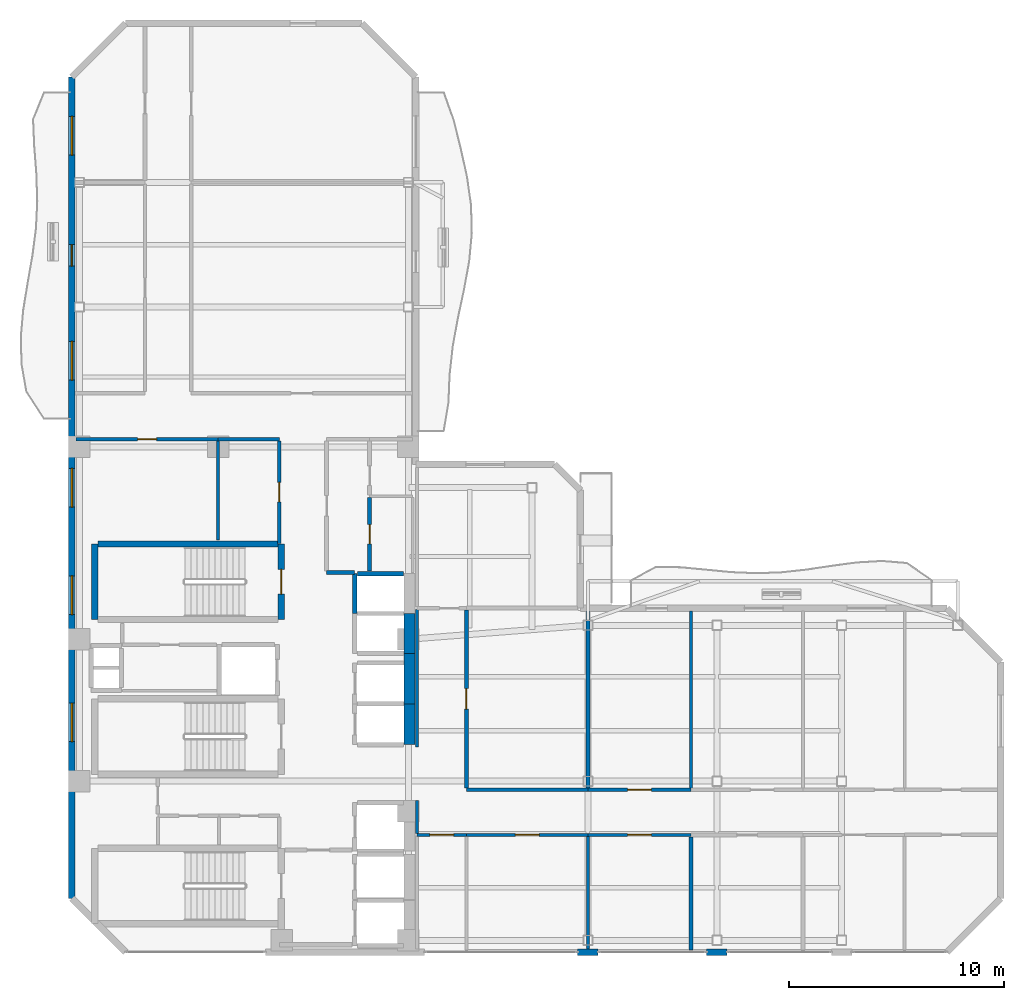
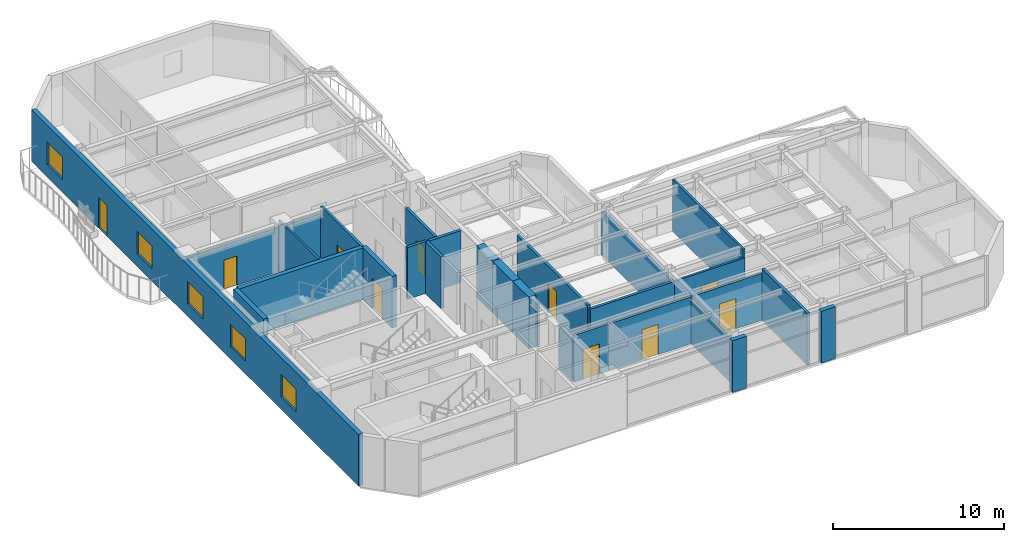
# One storey, part 10 of 15: 29 walls, 10 doors, 5 windows, 15 openings.
"""IFC4 building model written with IfcOpenShell, lengths in metres."""

import ifcopenshell
import ifcopenshell.guid

model = None  # the IFC model being written
_history = None  # IfcOwnerHistory: only IFC2X3 demands one
_inside = {}  # id of a spatial element -> (the spatial element, [elements in it])
_under = {}  # id of a project, library or spatial element -> (it, [spatial elements below it])
_declared = {}  # id of a project -> (the project, [libraries it declares])
_typed = {}  # id of a type object -> (the type object, [elements of that type])
_made_of = {}  # id of a material, layer set ... -> (it, [elements and type objects made of it])


def new_model(schema):
    """Start an empty IFC model of exactly this schema.

    Asked for "IFC4X3", IfcOpenShell would pick the latest addendum, in which some entities
    have other attributes; the version numbers below select the first issue.
    IFC2X3 requires an IfcOwnerHistory on every rooted entity: one is made here for all.
    """
    global model, _history
    if schema == "IFC4X3":
        model = ifcopenshell.file(schema_version=(4, 3, 0, 0))
    else:
        model = ifcopenshell.file(schema=schema)
    _inside.clear()
    _under.clear()
    _declared.clear()
    _typed.clear()
    _made_of.clear()
    _history = None
    if model.schema == "IFC2X3":
        org = make("IfcOrganization", Name="unknown")
        user = make(
            "IfcPersonAndOrganization",
            ThePerson=make("IfcPerson", FamilyName="unknown"),
            TheOrganization=org,
        )
        app = make(
            "IfcApplication",
            ApplicationDeveloper=org,
            Version="unknown",
            ApplicationFullName="unknown",
            ApplicationIdentifier="unknown",
        )
        _history = make(
            "IfcOwnerHistory",
            OwningUser=user,
            OwningApplication=app,
            ChangeAction="ADDED",
            CreationDate=0,
        )
    return model


def make(cls, **values):
    """One entity of the class cls with the attributes given. An attribute that is None is left unset."""
    return model.create_entity(
        cls, **{name: value for name, value in values.items() if value is not None}
    )


def rooted(cls, **values):
    """An entity with a GlobalId (a new one), such as an element, a storey or a relation."""
    return make(cls, GlobalId=ifcopenshell.guid.new(), OwnerHistory=_history, **values)


def si_unit(unit_type, name, prefix=None):
    """IfcSIUnit, for example si_unit("LENGTHUNIT", "METRE", prefix="MILLI")."""
    return make("IfcSIUnit", UnitType=unit_type, Prefix=prefix, Name=name)


def assignment(units):
    """IfcUnitAssignment: the units of a project."""
    return None if units is None else make("IfcUnitAssignment", Units=units)


def point(xyz):
    """IfcCartesianPoint."""
    return None if xyz is None else make("IfcCartesianPoint", Coordinates=xyz)


def direction(xyz):
    """IfcDirection."""
    return None if xyz is None else make("IfcDirection", DirectionRatios=xyz)


def frame(location, z_axis=None, x_axis=None):
    """IfcAxis2Placement3D, a coordinate frame: its origin and axes. An axis left out is left unset."""
    return make(
        "IfcAxis2Placement3D",
        Location=point(location),
        Axis=direction(z_axis),
        RefDirection=direction(x_axis),
    )


def frame_2d(location, x_axis=None):
    """IfcAxis2Placement2D, a coordinate frame in the plane: its origin and x axis."""
    return make(
        "IfcAxis2Placement2D", Location=point(location), RefDirection=direction(x_axis)
    )


def origin():
    """The frame at (0, 0, 0) with its axes left unset."""
    return frame((0.0, 0.0, 0.0))


def place(relative_to, where):
    """IfcLocalPlacement: puts the frame where relative to a parent placement (None: the world)."""
    return make(
        "IfcLocalPlacement", PlacementRelTo=relative_to, RelativePlacement=where
    )


def context(
    kind, dimensions, precision=None, world=None, true_north=None, identifier=None
):
    """IfcGeometricRepresentationContext, for example the 3D "Model" context."""
    return make(
        "IfcGeometricRepresentationContext",
        ContextIdentifier=identifier,
        ContextType=kind,
        CoordinateSpaceDimension=dimensions,
        Precision=precision,
        WorldCoordinateSystem=world,
        TrueNorth=true_north,
    )


def subcontext(parent, identifier, kind, view, scale=None):
    """IfcGeometricRepresentationSubContext, for example "Body" below "Model"."""
    return make(
        "IfcGeometricRepresentationSubContext",
        ContextIdentifier=identifier,
        ContextType=kind,
        ParentContext=parent,
        TargetScale=scale,
        TargetView=view,
    )


def project(units=None, contexts=None):
    """IfcProject with its units and contexts."""
    return rooted(
        "IfcProject",
        Name="project",
        RepresentationContexts=contexts,
        UnitsInContext=assignment(units),
    )


def spatial(cls, under=None, at=None, **own):
    """A site, building, storey or space (cls), placed at a placement, below another one or the project."""
    s = rooted(cls, ObjectPlacement=at, **own)
    if under is not None:
        _under.setdefault(under.id(), (under, []))[1].append(s)
    return s


def profile(cls, at=None, kind="AREA", **sizes):
    """A parametric profile (cls). Its sizes go by their IFC names, for example OverallWidth=200.0."""
    return make(cls, ProfileType=kind, Position=at, **sizes)


def rectangle(**sizes):
    """IfcRectangleProfileDef."""
    return profile("IfcRectangleProfileDef", **sizes)


def extrude(swept, where, along, depth):
    """IfcExtrudedAreaSolid: the profile swept, set in the frame where, extruded along a direction by depth."""
    return make(
        "IfcExtrudedAreaSolid",
        SweptArea=swept,
        Position=where,
        ExtrudedDirection=direction(along),
        Depth=depth,
    )


def shape(context_of_items, identifier, shape_type, items):
    """IfcShapeRepresentation: the items that make up one representation, for example the "Body"."""
    return make(
        "IfcShapeRepresentation",
        ContextOfItems=context_of_items,
        RepresentationIdentifier=identifier,
        RepresentationType=shape_type,
        Items=items,
    )


def material(Name=None, Category=None):
    """IfcMaterial."""
    return make("IfcMaterial", Name=Name, Category=Category)


def layer(
    of_material, thickness, ventilated=None, Name=None, Category=None, Priority=None
):
    """IfcMaterialLayer: one layer of a wall or slab, of a material (None: an air gap)."""
    return make(
        "IfcMaterialLayer",
        Material=of_material,
        LayerThickness=thickness,
        IsVentilated=ventilated,
        Name=Name,
        Category=Category,
        Priority=Priority,
    )


def layer_set(layers, Name=None):
    """IfcMaterialLayerSet."""
    return make("IfcMaterialLayerSet", MaterialLayers=layers, LayerSetName=Name)


def made_of(thing, what):
    """Note that an element or type object is made of a material, layer set ...; save() writes the relation."""
    if what is not None:
        _made_of.setdefault(what.id(), (what, []))[1].append(thing)
    return thing


def type_object(cls, material=None, **own):
    """A type object (cls), such as IfcWallType, which elements share."""
    return made_of(rooted(cls, **own), material)


def element(
    cls,
    number,
    at=None,
    inside=None,
    cuts=None,
    type_object=None,
    material=None,
    context=None,
    identifier="Body",
    shape_type=None,
    held_by="IfcProductDefinitionShape",
    body=None,
    shapes=None,
    **own,
):
    """One element of the class cls, such as IfcWall. Its Tag is "e" and its number.

    at: its placement. inside: the storey or other place that contains it. cuts: it is an
    opening in that element (IfcRelVoidsElement). A single representation is given by context,
    identifier, shape_type and body (its items); several are given by shapes. held_by: the class
    of the entity that holds the representations. save() writes the other relations.
    """
    e = rooted(cls, Tag="e%d" % number, ObjectPlacement=at, **own)
    if body is not None:
        shapes = [shape(context, identifier, shape_type, body)]
    if shapes is not None:
        e.Representation = make(held_by, Representations=shapes)
    if inside is not None:
        _inside.setdefault(inside.id(), (inside, []))[1].append(e)
    if cuts is not None:
        rooted(
            "IfcRelVoidsElement", RelatingBuildingElement=cuts, RelatedOpeningElement=e
        )
    if type_object is not None:
        _typed.setdefault(type_object.id(), (type_object, []))[1].append(e)
    return made_of(e, material)


def fill(opening, filler):
    """IfcRelFillsElement: the door or window that sits in an opening."""
    return rooted(
        "IfcRelFillsElement",
        RelatingOpeningElement=opening,
        RelatedBuildingElement=filler,
    )


def aggregate(whole, parts):
    """IfcRelAggregates: a whole, such as a stair, and the parts it consists of."""
    return rooted("IfcRelAggregates", RelatingObject=whole, RelatedObjects=parts)


def save(model, path):
    """Write the relations noted so far, then the file.

    IfcRelAggregates (storeys below a building ...), IfcRelContainedInSpatialStructure (elements
    in a storey), IfcRelDefinesByType, IfcRelAssociatesMaterial and IfcRelDeclares: one each for
    every whole, place, type object, material and project.
    """
    for whole, parts in _under.values():
        aggregate(whole, parts)
    for where, things in _inside.values():
        rooted(
            "IfcRelContainedInSpatialStructure",
            RelatedElements=things,
            RelatingStructure=where,
        )
    for kind, things in _typed.values():
        rooted("IfcRelDefinesByType", RelatedObjects=things, RelatingType=kind)
    for what, things in _made_of.values():
        rooted("IfcRelAssociatesMaterial", RelatedObjects=things, RelatingMaterial=what)
    for by, libraries in _declared.values():
        rooted("IfcRelDeclares", RelatingContext=by, RelatedDefinitions=libraries)
    model.write(path)


model = new_model("IFC4")

# Units and contexts
model_context = context("Model", 3, precision=1e-05, world=origin(), true_north=direction((0.0, 1.0)))
body_context = subcontext(model_context, "Body", "Model", "MODEL_VIEW")
ifc_project = project(units=[si_unit("LENGTHUNIT", "METRE"), si_unit("AREAUNIT", "SQUARE_METRE"), si_unit("VOLUMEUNIT", "CUBIC_METRE"), si_unit("PLANEANGLEUNIT", "RADIAN"), si_unit("MASSUNIT", "GRAM", prefix="KILO")], contexts=[model_context])

# Site, building, storey
site_placement = place(None, origin())
site = spatial("IfcSite", under=ifc_project, at=site_placement, CompositionType="ELEMENT")
building_placement = place(site_placement, origin())
building = spatial("IfcBuilding", under=site, at=building_placement, Name="Mawjaban Terraces University", CompositionType="ELEMENT")
storey_placement = place(building_placement, frame((0.0, 0.0, 207.0)))
storey = spatial("IfcBuildingStorey", under=building, at=storey_placement, Name="L50", CompositionType="ELEMENT", Elevation=207.0)

# Walls
ifc_material_1 = material(Name="Acoustic masonry blockwork", Category="masonry")
ifc_layer_1 = layer(ifc_material_1, 0.179931640625)
ifc_layer_set_1 = layer_set([ifc_layer_1], Name="Acoustic masonry blockwork")
wall_type_1 = type_object("IfcWallType", Name="AcousticStudioWall_180", PredefinedType="PARTITIONING", material=ifc_layer_set_1)
wall_1_placement = place(storey_placement, frame((33.85009765625, 17.64990234375, 0.0), z_axis=(0.0, 0.0, 1.0), x_axis=(1.0, 0.0, 0.0)))
element("IfcWall", 1, at=wall_1_placement, inside=storey, type_object=wall_type_1, Name="L50 Graduate Research Collaboration Studio Partition 10", PredefinedType="PARTITIONING", context=body_context, shape_type="SweptSolid", body=[
    extrude(rectangle(XDim=1.2998046875, YDim=0.179931640625, at=frame_2d((0.64990234375, 0.0))), origin(), (0.0, 0.0, 1.0), 3.68994140625),
])
wall_2_placement = place(storey_placement, frame((46.0, 7.550048828125, 0.0), z_axis=(0.0, 0.0, 1.0), x_axis=(-1.0, 0.0, 0.0)))
element("IfcWall", 2, at=wall_2_placement, inside=storey, type_object=wall_type_1, Name="L50 South Shifted Academic Corridor Partition 22", PredefinedType="PARTITIONING", context=body_context, shape_type="SweptSolid", body=[
    extrude(rectangle(XDim=5.64990234375, YDim=0.179931640625, at=frame_2d((2.824951171875, 0.0))), origin(), (0.0, 0.0, 1.0), 3.138916015625),
])

# Wall, opening, door
wall_3_placement = place(storey_placement, frame((35.85009765625, 17.72998046875, 0.0), z_axis=(0.0, 0.0, 1.0), x_axis=(0.0, 1.0, 0.0)))
wall_3 = element("IfcWall", 3, at=wall_3_placement, inside=storey, type_object=wall_type_1, Name="L50 Graduate Research Collaboration Studio Partition 42", PredefinedType="PARTITIONING", context=body_context, shape_type="SweptSolid", body=[
    extrude(rectangle(XDim=3.412109375, YDim=0.179931640625, at=frame_2d((1.7060546875, 0.0))), origin(), (0.0, 0.0, 1.0), 3.68994140625),
])
opening_1_placement = place(wall_3_placement, frame((1.256103515625, 0.0, 0.0)))
opening_1 = element("IfcOpeningElement", 4, at=opening_1_placement, cuts=wall_3, Name="Opening ID-090", PredefinedType="OPENING", context=body_context, shape_type="SweptSolid", body=[
    extrude(rectangle(XDim=0.89990234375, YDim=2.10009765625, at=frame_2d((0.449951171875, 1.050048828125))), frame((0.0, 0.099853515625, 0.0), z_axis=(0.0, -1.0, 0.0), x_axis=(1.0, 0.0, 0.0)), (0.0, 0.0, 1.0), 0.199951171875),
])
ifc_material_2 = material(Name="Powder-coated steel frame and solid acoustic timber leaf", Category="steel")
door_type_1 = type_object("IfcDoorType", Name="OfficeDoor_900x2100", OperationType="NOTDEFINED", PredefinedType="DOOR", material=ifc_material_2)
door_1_placement = place(opening_1_placement, origin())
door_1 = element("IfcDoor", 5, at=door_1_placement, inside=storey, type_object=door_type_1, Name="L50 Research Instrument Store Door", OperationType="SINGLE_SWING_LEFT", OverallHeight=2.10009765625, OverallWidth=0.89990234375, PredefinedType="DOOR", context=body_context, shape_type="SweptSolid", body=[
    extrude(rectangle(XDim=0.89990234375, YDim=2.10009765625, at=frame_2d((0.449951171875, 1.050048828125))), frame((0.0, 0.02490234375, 0.0), z_axis=(0.0, -1.0, 0.0), x_axis=(1.0, 0.0, 0.0)), (0.0, 0.0, 1.0), 0.050048828125),
])
fill(opening_1, door_1)

wall_4_placement = place(storey_placement, frame((40.35009765625, 7.635009765625, 0.0), z_axis=(0.0, 0.0, 1.0), x_axis=(0.0, 1.0, 0.0)))
wall_4 = element("IfcWall", 6, at=wall_4_placement, inside=storey, type_object=wall_type_1, Name="L50 South Spine Spur Link Partition 50", PredefinedType="PARTITIONING", context=body_context, shape_type="SweptSolid", body=[
    extrude(rectangle(XDim=8.280029296875, YDim=0.179931640625, at=frame_2d((4.14013671875, 0.0))), origin(), (0.0, 0.0, 1.0), 3.343017578125),
])
opening_2_placement = place(wall_4_placement, frame((3.6650390625, 0.0, 0.0)))
opening_2 = element("IfcOpeningElement", 7, at=opening_2_placement, cuts=wall_4, Name="Opening ID-095", PredefinedType="OPENING", context=body_context, shape_type="SweptSolid", body=[
    extrude(rectangle(XDim=0.949951171875, YDim=2.10009765625, at=frame_2d((0.47509765625, 1.050048828125))), frame((0.0, 0.099853515625, 0.0), z_axis=(0.0, -1.0, 0.0), x_axis=(1.0, 0.0, 0.0)), (0.0, 0.0, 1.0), 0.199951171875),
])
door_type_2 = type_object("IfcDoorType", Name="StudioDoor_950x2100", OperationType="NOTDEFINED", PredefinedType="DOOR", material=ifc_material_2)
door_2_placement = place(opening_2_placement, origin())
door_2 = element("IfcDoor", 8, at=door_2_placement, inside=storey, type_object=door_type_2, Name="L50 Design Studio 3 Door", OperationType="SINGLE_SWING_RIGHT", OverallHeight=2.10009765625, OverallWidth=0.949951171875, PredefinedType="DOOR", context=body_context, shape_type="SweptSolid", body=[
    extrude(rectangle(XDim=0.949951171875, YDim=2.10009765625, at=frame_2d((0.47509765625, 1.050048828125))), frame((0.0, 0.02490234375, 0.0), z_axis=(0.0, -1.0, 0.0), x_axis=(1.0, 0.0, 0.0)), (0.0, 0.0, 1.0), 0.050048828125),
])
fill(opening_2, door_2)

# Walls
wall_5_placement = place(storey_placement, frame((46.0, 7.635009765625, 0.0), z_axis=(0.0, 0.0, 1.0), x_axis=(0.0, 1.0, 0.0)))
element("IfcWall", 9, at=wall_5_placement, inside=storey, type_object=wall_type_1, Name="L50 Design Studio 3 Partition 52", PredefinedType="PARTITIONING", context=body_context, shape_type="SweptSolid", body=[
    extrude(rectangle(XDim=8.219970703125, YDim=0.179931640625, at=frame_2d((4.10986328125, 0.0))), origin(), (0.0, 0.0, 1.0), 3.138916015625),
])
wall_6_placement = place(storey_placement, frame((50.7900390625, 0.090087890625, 0.0), z_axis=(0.0, 0.0, 1.0), x_axis=(0.0, 1.0, 0.0)))
element("IfcWall", 10, at=wall_6_placement, inside=storey, type_object=wall_type_1, Name="L50 Computational Laboratory 4 Partition 53", PredefinedType="PARTITIONING", context=body_context, shape_type="SweptSolid", body=[
    extrude(rectangle(XDim=5.27490234375, YDim=0.179931640625, at=frame_2d((2.637451171875, 0.0))), origin(), (0.0, 0.0, 1.0), 3.68994140625),
])
ifc_material_3 = material(Name="Concrete C60/75", Category="concrete")
ifc_layer_2 = layer(ifc_material_3, 0.5)
ifc_layer_set_2 = layer_set([ifc_layer_2], Name="Concrete C60/75")
wall_type_2 = type_object("IfcWallType", Name="CoreShearWall_500", PredefinedType="SHEAR", material=ifc_layer_set_2)
wall_7_placement = place(storey_placement, frame((37.699951171875, 9.64990234375, 0.0), z_axis=(0.0, 0.0, 1.0), x_axis=(0.0, 1.0, 0.0)))
element("IfcWall", 11, at=wall_7_placement, inside=storey, type_object=wall_type_2, Name="L50 Lift PL-H1 Hoistway Wall East", PredefinedType="SHEAR", context=body_context, shape_type="SweptSolid", body=[
    extrude(rectangle(XDim=1.900146484375, YDim=0.5, at=frame_2d((0.9501953125, 0.0))), origin(), (0.0, 0.0, 1.0), 3.68994140625),
])
wall_8_placement = place(storey_placement, frame((37.699951171875, 11.550048828125, 0.0), z_axis=(0.0, 0.0, 1.0), x_axis=(0.0, 1.0, 0.0)))
element("IfcWall", 12, at=wall_8_placement, inside=storey, type_object=wall_type_2, Name="L50 Lift PL-H2 Hoistway Wall East", PredefinedType="SHEAR", context=body_context, shape_type="SweptSolid", body=[
    extrude(rectangle(XDim=2.349853515625, YDim=0.5, at=frame_2d((1.1748046875, 0.0))), origin(), (0.0, 0.0, 1.0), 3.68994140625),
])
wall_9_placement = place(storey_placement, frame((37.699951171875, 13.89990234375, 0.0), z_axis=(0.0, 0.0, 1.0), x_axis=(0.0, 1.0, 0.0)))
element("IfcWall", 13, at=wall_9_placement, inside=storey, type_object=wall_type_2, Name="L50 Lift OL-1 Hoistway Wall East", PredefinedType="SHEAR", context=body_context, shape_type="SweptSolid", body=[
    extrude(rectangle(XDim=1.85009765625, YDim=0.5, at=frame_2d((0.925048828125, 0.0))), origin(), (0.0, 0.0, 1.0), 3.68994140625),
])

# Wall, opening, door
ifc_material_4 = material(Name="Fire-rated gypsum board on steel stud", Category="steel")
ifc_layer_3 = layer(ifc_material_4, 0.159912109375)
ifc_layer_set_3 = layer_set([ifc_layer_3], Name="Fire-rated gypsum board on steel stud")
wall_type_3 = type_object("IfcWallType", Name="CorridorPartition_160", PredefinedType="PARTITIONING", material=ifc_layer_set_3)
wall_10_placement = place(storey_placement, frame((28.800048828125, 23.85009765625, 0.0), z_axis=(0.0, 0.0, 1.0), x_axis=(-1.0, 0.0, 0.0)))
wall_10 = element("IfcWall", 14, at=wall_10_placement, inside=storey, type_object=wall_type_3, Name="L50 Female Toilet Partition 6", PredefinedType="PARTITIONING", context=body_context, shape_type="SweptSolid", body=[
    extrude(rectangle(XDim=6.60009765625, YDim=0.159912109375, at=frame_2d((3.300048828125, 0.0))), origin(), (0.0, 0.0, 1.0), 3.138916015625),
])
opening_3_placement = place(wall_10_placement, frame((2.860107421875, 0.0, 0.0)))
opening_3 = element("IfcOpeningElement", 15, at=opening_3_placement, cuts=wall_10, Name="Opening ID-088", PredefinedType="OPENING", context=body_context, shape_type="SweptSolid", body=[
    extrude(rectangle(XDim=0.8798828125, YDim=2.10009765625, at=frame_2d((0.43994140625, 1.050048828125))), frame((0.0, 0.08984375, 0.0), z_axis=(0.0, -1.0, 0.0), x_axis=(1.0, 0.0, 0.0)), (0.0, 0.0, 1.0), 0.179931640625),
])
door_type_3 = type_object("IfcDoorType", Name="ToiletDoor_880x2100", OperationType="NOTDEFINED", PredefinedType="DOOR", material=ifc_material_2)
door_3_placement = place(opening_3_placement, origin())
door_3 = element("IfcDoor", 16, at=door_3_placement, inside=storey, type_object=door_type_3, Name="L50 Female Toilet Door", OperationType="SINGLE_SWING_LEFT", OverallHeight=2.10009765625, OverallWidth=0.8798828125, PredefinedType="DOOR", context=body_context, shape_type="SweptSolid", body=[
    extrude(rectangle(XDim=0.8798828125, YDim=2.10009765625, at=frame_2d((0.43994140625, 1.050048828125))), frame((0.0, 0.02490234375, 0.0), z_axis=(0.0, -1.0, 0.0), x_axis=(1.0, 0.0, 0.0)), (0.0, 0.0, 1.0), 0.050048828125),
])
fill(opening_3, door_3)

# Wall
wall_11_placement = place(storey_placement, frame((31.64990234375, 23.85009765625, 0.0), z_axis=(0.0, 0.0, 1.0), x_axis=(-1.0, 0.0, 0.0)))
element("IfcWall", 17, at=wall_11_placement, inside=storey, type_object=wall_type_3, Name="L50 Faculty Academic Resource Office Partition 9", PredefinedType="PARTITIONING", context=body_context, shape_type="SweptSolid", body=[
    extrude(rectangle(XDim=2.849853515625, YDim=0.159912109375, at=frame_2d((1.4248046875, 0.0))), origin(), (0.0, 0.0, 1.0), 3.138916015625),
])

# Wall, opening, door
wall_12_placement = place(storey_placement, frame((31.64990234375, 19.010009765625, 0.0), z_axis=(0.0, 0.0, 1.0), x_axis=(0.0, 1.0, 0.0)))
wall_12 = element("IfcWall", 18, at=wall_12_placement, inside=storey, type_object=wall_type_3, Name="L50 Faculty Academic Resource Office Partition 40", PredefinedType="PARTITIONING", context=body_context, shape_type="SweptSolid", body=[
    extrude(rectangle(XDim=4.764892578125, YDim=0.159912109375, at=frame_2d((2.38232421875, 0.0))), origin(), (0.0, 0.0, 1.0), 3.68994140625),
])
opening_4_placement = place(wall_12_placement, frame((1.931884765625, 0.0, 0.0)))
opening_4 = element("IfcOpeningElement", 19, at=opening_4_placement, cuts=wall_12, Name="Opening ID-090", PredefinedType="OPENING", context=body_context, shape_type="SweptSolid", body=[
    extrude(rectangle(XDim=0.89990234375, YDim=2.10009765625, at=frame_2d((0.449951171875, 1.050048828125))), frame((0.0, 0.08984375, 0.0), z_axis=(0.0, -1.0, 0.0), x_axis=(1.0, 0.0, 0.0)), (0.0, 0.0, 1.0), 0.179931640625),
])
door_4_placement = place(opening_4_placement, origin())
door_4 = element("IfcDoor", 20, at=door_4_placement, inside=storey, type_object=door_type_1, Name="L50 Faculty Academic Resource Office Door", OperationType="SINGLE_SWING_RIGHT", OverallHeight=2.10009765625, OverallWidth=0.89990234375, PredefinedType="DOOR", context=body_context, shape_type="SweptSolid", body=[
    extrude(rectangle(XDim=0.89990234375, YDim=2.10009765625, at=frame_2d((0.449951171875, 1.050048828125))), frame((0.0, 0.02490234375, 0.0), z_axis=(0.0, -1.0, 0.0), x_axis=(1.0, 0.0, 0.0)), (0.0, 0.0, 1.0), 0.050048828125),
])
fill(opening_4, door_4)

# Walls
wall_13_placement = place(storey_placement, frame((38.050048828125, 7.050048828125, 0.0), z_axis=(0.0, 0.0, 1.0), x_axis=(0.0, -1.0, 0.0)))
element("IfcWall", 21, at=wall_13_placement, inside=storey, type_object=wall_type_3, Name="L50 South Spine Spur Link Partition 46", PredefinedType="PARTITIONING", context=body_context, shape_type="SweptSolid", body=[
    extrude(rectangle(XDim=1.531982421875, YDim=0.159912109375, at=frame_2d((0.76611328125, 0.0))), origin(), (0.0, 0.0, 1.0), 3.138916015625),
])
wall_14_placement = place(storey_placement, frame((38.050048828125, 15.925048828125, 0.0), z_axis=(0.0, 0.0, 1.0), x_axis=(0.0, -1.0, 0.0)))
element("IfcWall", 22, at=wall_14_placement, inside=storey, type_object=wall_type_3, Name="L50 South Spine Spur Link Partition 47", PredefinedType="PARTITIONING", context=body_context, shape_type="SweptSolid", body=[
    extrude(rectangle(XDim=6.375, YDim=0.159912109375, at=frame_2d((3.1875, 0.0))), origin(), (0.0, 0.0, 1.0), 3.138916015625),
])
ifc_material_5 = material(Name="Insulated terracotta rainscreen on concrete backup C40/50", Category="masonry")
ifc_layer_4 = layer(ifc_material_5, 0.300048828125)
ifc_layer_set_4 = layer_set([ifc_layer_4], Name="Insulated terracotta rainscreen on concrete backup C40/50")
wall_type_4 = type_object("IfcWallType", Name="ExtTerracottaWall_300", PredefinedType="SOLIDWALL", material=ifc_layer_set_4)
for number, where, z_axis, x_axis, name in (
    (23, (45.52490234375, 0.0, 0.0), (0.0, 0.0, 1.0), (1.0, 0.0, 0.0), "L50 Exterior Terracotta Pier Wall 1.2"),
    (24, (51.52490234375, 0.0, 0.0), (0.0, 0.0, 1.0), (1.0, 0.0, 0.0), "L50 Exterior Terracotta Pier Wall 1.3"),
):
    element("IfcWall", number, at=place(storey_placement, frame(where, z_axis=z_axis, x_axis=x_axis)), inside=storey, type_object=wall_type_4, Name=name, PredefinedType="SOLIDWALL", context=body_context, shape_type="SweptSolid", body=[
        extrude(rectangle(XDim=0.9501953125, YDim=0.300048828125, at=frame_2d((0.47509765625, 0.0))), origin(), (0.0, 0.0, 1.0), 3.68994140625),
    ])

# Wall, openings, door, windows
wall_15_placement = place(storey_placement, frame((22.0, 40.699951171875, 0.0), z_axis=(0.0, 0.0, 1.0), x_axis=(0.0, -1.0, 0.0)))
wall_15 = element("IfcWall", 25, at=wall_15_placement, inside=storey, type_object=wall_type_4, Name="L50 Exterior Terracotta Wall 13", PredefinedType="SOLIDWALL", context=body_context, shape_type="SweptSolid", body=[
    extrude(rectangle(XDim=38.199951171875, YDim=0.300048828125, at=frame_2d((19.10009765625, 0.0))), origin(), (0.0, 0.0, 1.0), 3.68994140625),
])
opening_5_placement = place(wall_15_placement, frame((7.800048828125, 0.0, 0.0)))
opening_5 = element("IfcOpeningElement", 26, at=opening_5_placement, cuts=wall_15, Name="Opening BD-100", PredefinedType="OPENING", context=body_context, shape_type="SweptSolid", body=[
    extrude(rectangle(XDim=1.0, YDim=2.199951171875, at=frame_2d((0.5, 1.10009765625))), frame((0.0, 0.159912109375, 0.0), z_axis=(0.0, -1.0, 0.0), x_axis=(1.0, 0.0, 0.0)), (0.0, 0.0, 1.0), 0.320068359375),
])
opening_6_placement = place(wall_15_placement, frame((1.8291015625, 0.0, 0.89990234375)))
opening_6 = element("IfcOpeningElement", 27, at=opening_6_placement, cuts=wall_15, Name="Opening W-03", PredefinedType="OPENING", context=body_context, shape_type="SweptSolid", body=[
    extrude(rectangle(XDim=1.800048828125, YDim=1.60009765625, at=frame_2d((0.89990234375, 0.800048828125))), frame((0.0, 0.159912109375, 0.0), z_axis=(0.0, -1.0, 0.0), x_axis=(1.0, 0.0, 0.0)), (0.0, 0.0, 1.0), 0.320068359375),
])
opening_7_placement = place(wall_15_placement, frame((12.29296875, 0.0, 0.89990234375)))
opening_7 = element("IfcOpeningElement", 28, at=opening_7_placement, cuts=wall_15, Name="Opening W-03", PredefinedType="OPENING", context=body_context, shape_type="SweptSolid", body=[
    extrude(rectangle(XDim=1.800048828125, YDim=1.60009765625, at=frame_2d((0.89990234375, 0.800048828125))), frame((0.0, 0.159912109375, 0.0), z_axis=(0.0, -1.0, 0.0), x_axis=(1.0, 0.0, 0.0)), (0.0, 0.0, 1.0), 0.320068359375),
])
opening_8_placement = place(wall_15_placement, frame((18.199951171875, 0.0, 0.89990234375)))
opening_8 = element("IfcOpeningElement", 29, at=opening_8_placement, cuts=wall_15, Name="Opening W-03", PredefinedType="OPENING", context=body_context, shape_type="SweptSolid", body=[
    extrude(rectangle(XDim=1.800048828125, YDim=1.60009765625, at=frame_2d((0.89990234375, 0.800048828125))), frame((0.0, 0.159912109375, 0.0), z_axis=(0.0, -1.0, 0.0), x_axis=(1.0, 0.0, 0.0)), (0.0, 0.0, 1.0), 0.320068359375),
])
opening_9_placement = place(wall_15_placement, frame((23.20703125, 0.0, 0.89990234375)))
opening_9 = element("IfcOpeningElement", 30, at=opening_9_placement, cuts=wall_15, Name="Opening W-03", PredefinedType="OPENING", context=body_context, shape_type="SweptSolid", body=[
    extrude(rectangle(XDim=1.800048828125, YDim=1.60009765625, at=frame_2d((0.89990234375, 0.800048828125))), frame((0.0, 0.159912109375, 0.0), z_axis=(0.0, -1.0, 0.0), x_axis=(1.0, 0.0, 0.0)), (0.0, 0.0, 1.0), 0.320068359375),
])
opening_10_placement = place(wall_15_placement, frame((29.114013671875, 0.0, 0.89990234375)))
opening_10 = element("IfcOpeningElement", 31, at=opening_10_placement, cuts=wall_15, Name="Opening W-03", PredefinedType="OPENING", context=body_context, shape_type="SweptSolid", body=[
    extrude(rectangle(XDim=1.800048828125, YDim=1.60009765625, at=frame_2d((0.89990234375, 0.800048828125))), frame((0.0, 0.159912109375, 0.0), z_axis=(0.0, -1.0, 0.0), x_axis=(1.0, 0.0, 0.0)), (0.0, 0.0, 1.0), 0.320068359375),
])
ifc_material_6 = material(Name="Thermally broken anodised aluminium and laminated safety glass", Category="aluminium")
door_type_4 = type_object("IfcDoorType", Name="BalconyGlazedDoor_1000x2200", OperationType="NOTDEFINED", PredefinedType="DOOR", material=ifc_material_6)
door_5_placement = place(opening_5_placement, origin())
door_5 = element("IfcDoor", 32, at=door_5_placement, inside=storey, type_object=door_type_4, Name="L50 Balcony Access Door west", OperationType="SINGLE_SWING_LEFT", OverallHeight=2.199951171875, OverallWidth=1.0, PredefinedType="DOOR", context=body_context, shape_type="SweptSolid", body=[
    extrude(rectangle(XDim=1.0, YDim=2.199951171875, at=frame_2d((0.5, 1.10009765625))), frame((0.0, 0.02490234375, 0.0), z_axis=(0.0, -1.0, 0.0), x_axis=(1.0, 0.0, 0.0)), (0.0, 0.0, 1.0), 0.050048828125),
])
fill(opening_5, door_5)
ifc_material_7 = material(Name="Low-E solar-control double glazing in thermally broken aluminium frame", Category="aluminium")
window_type = type_object("IfcWindowType", Name="Win_1800x1600", PartitioningType="SINGLE_PANEL", PredefinedType="WINDOW", material=ifc_material_7)
window_1_placement = place(opening_6_placement, origin())
window_1 = element("IfcWindow", 33, at=window_1_placement, inside=storey, type_object=window_type, Name="L50 Facade Window 13.1", OverallHeight=1.60009765625, OverallWidth=1.800048828125, PartitioningType="SINGLE_PANEL", PredefinedType="WINDOW", context=body_context, shape_type="SweptSolid", body=[
    extrude(rectangle(XDim=1.800048828125, YDim=1.60009765625, at=frame_2d((0.89990234375, 0.800048828125))), frame((0.0, 0.030029296875, 0.0), z_axis=(0.0, -1.0, 0.0), x_axis=(1.0, 0.0, 0.0)), (0.0, 0.0, 1.0), 0.06005859375),
])
fill(opening_6, window_1)
window_2_placement = place(opening_7_placement, origin())
window_2 = element("IfcWindow", 34, at=window_2_placement, inside=storey, type_object=window_type, Name="L50 Facade Window 13.3", OverallHeight=1.60009765625, OverallWidth=1.800048828125, PartitioningType="SINGLE_PANEL", PredefinedType="WINDOW", context=body_context, shape_type="SweptSolid", body=[
    extrude(rectangle(XDim=1.800048828125, YDim=1.60009765625, at=frame_2d((0.89990234375, 0.800048828125))), frame((0.0, 0.030029296875, 0.0), z_axis=(0.0, -1.0, 0.0), x_axis=(1.0, 0.0, 0.0)), (0.0, 0.0, 1.0), 0.06005859375),
])
fill(opening_7, window_2)
window_3_placement = place(opening_8_placement, origin())
window_3 = element("IfcWindow", 35, at=window_3_placement, inside=storey, type_object=window_type, Name="L50 Facade Window 13.4", OverallHeight=1.60009765625, OverallWidth=1.800048828125, PartitioningType="SINGLE_PANEL", PredefinedType="WINDOW", context=body_context, shape_type="SweptSolid", body=[
    extrude(rectangle(XDim=1.800048828125, YDim=1.60009765625, at=frame_2d((0.89990234375, 0.800048828125))), frame((0.0, 0.030029296875, 0.0), z_axis=(0.0, -1.0, 0.0), x_axis=(1.0, 0.0, 0.0)), (0.0, 0.0, 1.0), 0.06005859375),
])
fill(opening_8, window_3)
window_4_placement = place(opening_9_placement, origin())
window_4 = element("IfcWindow", 36, at=window_4_placement, inside=storey, type_object=window_type, Name="L50 Facade Window 13.5", OverallHeight=1.60009765625, OverallWidth=1.800048828125, PartitioningType="SINGLE_PANEL", PredefinedType="WINDOW", context=body_context, shape_type="SweptSolid", body=[
    extrude(rectangle(XDim=1.800048828125, YDim=1.60009765625, at=frame_2d((0.89990234375, 0.800048828125))), frame((0.0, 0.030029296875, 0.0), z_axis=(0.0, -1.0, 0.0), x_axis=(1.0, 0.0, 0.0)), (0.0, 0.0, 1.0), 0.06005859375),
])
fill(opening_9, window_4)
window_5_placement = place(opening_10_placement, origin())
window_5 = element("IfcWindow", 37, at=window_5_placement, inside=storey, type_object=window_type, Name="L50 Facade Window 13.6", OverallHeight=1.60009765625, OverallWidth=1.800048828125, PartitioningType="SINGLE_PANEL", PredefinedType="WINDOW", context=body_context, shape_type="SweptSolid", body=[
    extrude(rectangle(XDim=1.800048828125, YDim=1.60009765625, at=frame_2d((0.89990234375, 0.800048828125))), frame((0.0, 0.030029296875, 0.0), z_axis=(0.0, -1.0, 0.0), x_axis=(1.0, 0.0, 0.0)), (0.0, 0.0, 1.0), 0.06005859375),
])
fill(opening_10, window_5)

# Walls
ifc_material_8 = material(Name="Concrete C40/50", Category="concrete")
ifc_layer_5 = layer(ifc_material_8, 0.199951171875)
ifc_layer_set_5 = layer_set([ifc_layer_5], Name="Concrete C40/50")
wall_type_5 = type_object("IfcWallType", Name="FireLobbyWall_200", PredefinedType="SOLIDWALL", material=ifc_layer_set_5)
wall_16_placement = place(storey_placement, frame((35.14990234375, 17.60009765625, 0.0), z_axis=(0.0, 0.0, 1.0), x_axis=(0.0, -1.0, 0.0)))
element("IfcWall", 38, at=wall_16_placement, inside=storey, type_object=wall_type_5, Name="L50 Lift OL-2 Hoistway Wall West", PredefinedType="SOLIDWALL", context=body_context, shape_type="SweptSolid", body=[
    extrude(rectangle(XDim=1.85009765625, YDim=0.199951171875, at=frame_2d((0.925048828125, 0.0))), origin(), (0.0, 0.0, 1.0), 3.68994140625),
])
wall_17_placement = place(storey_placement, frame((37.419921875, 17.60009765625, 0.0), z_axis=(0.0, 0.0, 1.0), x_axis=(-1.0, 0.0, 0.0)))
element("IfcWall", 39, at=wall_17_placement, inside=storey, type_object=wall_type_5, Name="L50 Lift OL-2 Hoistway Wall North", PredefinedType="SOLIDWALL", context=body_context, shape_type="SweptSolid", body=[
    extrude(rectangle(XDim=2.139892578125, YDim=0.199951171875, at=frame_2d((1.06982421875, 0.0))), origin(), (0.0, 0.0, 1.0), 3.68994140625),
])

# Wall, opening, door
ifc_material_9 = material(Name="Moisture-resistant gypsum board on steel stud", Category="steel")
ifc_layer_6 = layer(ifc_material_9, 0.14501953125)
ifc_layer_set_6 = layer_set([ifc_layer_6], Name="Moisture-resistant gypsum board on steel stud")
wall_type_6 = type_object("IfcWallType", Name="LabPartition_145", PredefinedType="PARTITIONING", material=ifc_layer_set_6)
wall_18_placement = place(storey_placement, frame((38.050048828125, 5.449951171875, 0.0), z_axis=(0.0, 0.0, 1.0), x_axis=(1.0, 0.0, 0.0)))
wall_18 = element("IfcWall", 40, at=wall_18_placement, inside=storey, type_object=wall_type_6, Name="L50 South Spine Spur Link Partition 17", PredefinedType="PARTITIONING", context=body_context, shape_type="SweptSolid", body=[
    extrude(rectangle(XDim=2.300048828125, YDim=0.14501953125, at=frame_2d((1.14990234375, 0.0))), origin(), (0.0, 0.0, 1.0), 3.343017578125),
])
opening_11_placement = place(wall_18_placement, frame((0.60009765625, 0.0, 0.0)))
opening_11 = element("IfcOpeningElement", 41, at=opening_11_placement, cuts=wall_18, Name="Opening ID-110", PredefinedType="OPENING", context=body_context, shape_type="SweptSolid", body=[
    extrude(rectangle(XDim=1.10009765625, YDim=2.14990234375, at=frame_2d((0.550048828125, 1.074951171875))), frame((0.0, 0.08251953125, 0.0), z_axis=(0.0, -1.0, 0.0), x_axis=(1.0, 0.0, 0.0)), (0.0, 0.0, 1.0), 0.1650390625),
])
door_type_5 = type_object("IfcDoorType", Name="LabDoor_1100x2150", OperationType="NOTDEFINED", PredefinedType="DOOR", material=ifc_material_2)
door_6_placement = place(opening_11_placement, origin())
door_6 = element("IfcDoor", 42, at=door_6_placement, inside=storey, type_object=door_type_5, Name="L50 Computational Laboratory 1 Door", OperationType="SINGLE_SWING_RIGHT", OverallHeight=2.14990234375, OverallWidth=1.10009765625, PredefinedType="DOOR", context=body_context, shape_type="SweptSolid", body=[
    extrude(rectangle(XDim=1.10009765625, YDim=2.14990234375, at=frame_2d((0.550048828125, 1.074951171875))), frame((0.0, 0.02490234375, 0.0), z_axis=(0.0, -1.0, 0.0), x_axis=(1.0, 0.0, 0.0)), (0.0, 0.0, 1.0), 0.050048828125),
])
fill(opening_11, door_6)

wall_19_placement = place(storey_placement, frame((40.35009765625, 5.449951171875, 0.0), z_axis=(0.0, 0.0, 1.0), x_axis=(1.0, 0.0, 0.0)))
wall_19 = element("IfcWall", 43, at=wall_19_placement, inside=storey, type_object=wall_type_6, Name="L50 South Shifted Academic Corridor Partition 18", PredefinedType="PARTITIONING", context=body_context, shape_type="SweptSolid", body=[
    extrude(rectangle(XDim=5.64990234375, YDim=0.14501953125, at=frame_2d((2.824951171875, 0.0))), origin(), (0.0, 0.0, 1.0), 3.343017578125),
])
opening_12_placement = place(wall_19_placement, frame((2.27490234375, 0.0, 0.0)))
opening_12 = element("IfcOpeningElement", 44, at=opening_12_placement, cuts=wall_19, Name="Opening ID-110", PredefinedType="OPENING", context=body_context, shape_type="SweptSolid", body=[
    extrude(rectangle(XDim=1.10009765625, YDim=2.14990234375, at=frame_2d((0.550048828125, 1.074951171875))), frame((0.0, 0.08251953125, 0.0), z_axis=(0.0, -1.0, 0.0), x_axis=(1.0, 0.0, 0.0)), (0.0, 0.0, 1.0), 0.1650390625),
])
door_7_placement = place(opening_12_placement, origin())
door_7 = element("IfcDoor", 45, at=door_7_placement, inside=storey, type_object=door_type_5, Name="L50 Teaching Laboratory 2 Door", OperationType="SINGLE_SWING_LEFT", OverallHeight=2.14990234375, OverallWidth=1.10009765625, PredefinedType="DOOR", context=body_context, shape_type="SweptSolid", body=[
    extrude(rectangle(XDim=1.10009765625, YDim=2.14990234375, at=frame_2d((0.550048828125, 1.074951171875))), frame((0.0, 0.02490234375, 0.0), z_axis=(0.0, -1.0, 0.0), x_axis=(1.0, 0.0, 0.0)), (0.0, 0.0, 1.0), 0.050048828125),
])
fill(opening_12, door_7)

wall_20_placement = place(storey_placement, frame((46.0, 5.449951171875, 0.0), z_axis=(0.0, 0.0, 1.0), x_axis=(1.0, 0.0, 0.0)))
wall_20 = element("IfcWall", 46, at=wall_20_placement, inside=storey, type_object=wall_type_6, Name="L50 South Shifted Academic Corridor Partition 21", PredefinedType="PARTITIONING", context=body_context, shape_type="SweptSolid", body=[
    extrude(rectangle(XDim=4.7900390625, YDim=0.14501953125, at=frame_2d((2.39501953125, 0.0))), origin(), (0.0, 0.0, 1.0), 3.343017578125),
])
opening_13_placement = place(wall_20_placement, frame((1.844970703125, 0.0, 0.0)))
opening_13 = element("IfcOpeningElement", 47, at=opening_13_placement, cuts=wall_20, Name="Opening ID-110", PredefinedType="OPENING", context=body_context, shape_type="SweptSolid", body=[
    extrude(rectangle(XDim=1.10009765625, YDim=2.14990234375, at=frame_2d((0.550048828125, 1.074951171875))), frame((0.0, 0.08251953125, 0.0), z_axis=(0.0, -1.0, 0.0), x_axis=(1.0, 0.0, 0.0)), (0.0, 0.0, 1.0), 0.1650390625),
])
door_8_placement = place(opening_13_placement, origin())
door_8 = element("IfcDoor", 48, at=door_8_placement, inside=storey, type_object=door_type_5, Name="L50 Computational Laboratory 4 Door", OperationType="SINGLE_SWING_LEFT", OverallHeight=2.14990234375, OverallWidth=1.10009765625, PredefinedType="DOOR", context=body_context, shape_type="SweptSolid", body=[
    extrude(rectangle(XDim=1.10009765625, YDim=2.14990234375, at=frame_2d((0.550048828125, 1.074951171875))), frame((0.0, 0.02490234375, 0.0), z_axis=(0.0, -1.0, 0.0), x_axis=(1.0, 0.0, 0.0)), (0.0, 0.0, 1.0), 0.050048828125),
])
fill(opening_13, door_8)

wall_21_placement = place(storey_placement, frame((50.7900390625, 7.550048828125, 0.0), z_axis=(0.0, 0.0, 1.0), x_axis=(-1.0, 0.0, 0.0)))
wall_21 = element("IfcWall", 49, at=wall_21_placement, inside=storey, type_object=wall_type_6, Name="L50 South Shifted Academic Corridor Partition 24", PredefinedType="PARTITIONING", context=body_context, shape_type="SweptSolid", body=[
    extrude(rectangle(XDim=4.7900390625, YDim=0.14501953125, at=frame_2d((2.39501953125, 0.0))), origin(), (0.0, 0.0, 1.0), 3.138916015625),
])
opening_14_placement = place(wall_21_placement, frame((1.844970703125, 0.0, 0.0)))
opening_14 = element("IfcOpeningElement", 50, at=opening_14_placement, cuts=wall_21, Name="Opening ID-110", PredefinedType="OPENING", context=body_context, shape_type="SweptSolid", body=[
    extrude(rectangle(XDim=1.10009765625, YDim=2.14990234375, at=frame_2d((0.550048828125, 1.074951171875))), frame((0.0, 0.08251953125, 0.0), z_axis=(0.0, -1.0, 0.0), x_axis=(1.0, 0.0, 0.0)), (0.0, 0.0, 1.0), 0.1650390625),
])
door_9_placement = place(opening_14_placement, origin())
door_9 = element("IfcDoor", 51, at=door_9_placement, inside=storey, type_object=door_type_5, Name="L50 Teaching Laboratory 5 Door", OperationType="SINGLE_SWING_RIGHT", OverallHeight=2.14990234375, OverallWidth=1.10009765625, PredefinedType="DOOR", context=body_context, shape_type="SweptSolid", body=[
    extrude(rectangle(XDim=1.10009765625, YDim=2.14990234375, at=frame_2d((0.550048828125, 1.074951171875))), frame((0.0, 0.02490234375, 0.0), z_axis=(0.0, -1.0, 0.0), x_axis=(1.0, 0.0, 0.0)), (0.0, 0.0, 1.0), 0.050048828125),
])
fill(opening_14, door_9)

# Walls
wall_22_placement = place(storey_placement, frame((46.0, 0.14501953125, 0.0), z_axis=(0.0, 0.0, 1.0), x_axis=(0.0, 1.0, 0.0)))
element("IfcWall", 52, at=wall_22_placement, inside=storey, type_object=wall_type_6, Name="L50 Teaching Laboratory 2 Partition 51", PredefinedType="PARTITIONING", context=body_context, shape_type="SweptSolid", body=[
    extrude(rectangle(XDim=5.238037109375, YDim=0.14501953125, at=frame_2d((2.619140625, 0.0))), origin(), (0.0, 0.0, 1.0), 3.138916015625),
])
wall_23_placement = place(storey_placement, frame((50.7900390625, 7.616943359375, 0.0), z_axis=(0.0, 0.0, 1.0), x_axis=(0.0, 1.0, 0.0)))
element("IfcWall", 53, at=wall_23_placement, inside=storey, type_object=wall_type_6, Name="L50 Teaching Laboratory 5 Partition 54", PredefinedType="PARTITIONING", context=body_context, shape_type="SweptSolid", body=[
    extrude(rectangle(XDim=8.238037109375, YDim=0.14501953125, at=frame_2d((4.119140625, 0.0))), origin(), (0.0, 0.0, 1.0), 3.68994140625),
])
ifc_layer_7 = layer(ifc_material_3, 0.300048828125)
ifc_layer_set_7 = layer_set([ifc_layer_7], Name="Concrete C60/75")
wall_type_7 = type_object("IfcWallType", Name="StairShaftWall_300", PredefinedType="SHEAR", material=ifc_layer_set_7)
wall_24_placement = place(storey_placement, frame((31.580078125, 18.97998046875, 0.0), z_axis=(0.0, 0.0, 1.0), x_axis=(-1.0, 0.0, 0.0)))
element("IfcWall", 54, at=wall_24_placement, inside=storey, type_object=wall_type_7, Name="L50 ST-2 Stair Shaft Wall 1", PredefinedType="SHEAR", context=body_context, shape_type="SweptSolid", body=[
    extrude(rectangle(XDim=8.360107421875, YDim=0.300048828125, at=frame_2d((4.18017578125, 0.0))), origin(), (0.0, 0.0, 1.0), 3.68994140625),
])
wall_25_placement = place(storey_placement, frame((23.070068359375, 18.97998046875, 0.0), z_axis=(0.0, 0.0, 1.0), x_axis=(0.0, -1.0, 0.0)))
element("IfcWall", 55, at=wall_25_placement, inside=storey, type_object=wall_type_7, Name="L50 ST-2 Stair Shaft Wall 2", PredefinedType="SHEAR", context=body_context, shape_type="SweptSolid", body=[
    extrude(rectangle(XDim=3.510009765625, YDim=0.300048828125, at=frame_2d((1.7548828125, 0.0))), origin(), (0.0, 0.0, 1.0), 3.68994140625),
])

# Wall, opening, door
wall_26_placement = place(storey_placement, frame((31.72998046875, 15.469970703125, 0.0), z_axis=(0.0, 0.0, 1.0), x_axis=(0.0, 1.0, 0.0)))
wall_26 = element("IfcWall", 56, at=wall_26_placement, inside=storey, type_object=wall_type_7, Name="L50 ST-2 Stair Shaft Wall 4", PredefinedType="SHEAR", context=body_context, shape_type="SweptSolid", body=[
    extrude(rectangle(XDim=3.510009765625, YDim=0.300048828125, at=frame_2d((1.7548828125, 0.0))), origin(), (0.0, 0.0, 1.0), 3.68994140625),
])
opening_15_placement = place(wall_26_placement, frame((1.179931640625, 0.0, 0.0)))
opening_15 = element("IfcOpeningElement", 57, at=opening_15_placement, cuts=wall_26, Name="Opening FD-115", PredefinedType="OPENING", context=body_context, shape_type="SweptSolid", body=[
    extrude(rectangle(XDim=1.14990234375, YDim=2.14990234375, at=frame_2d((0.574951171875, 1.074951171875))), frame((0.0, 0.159912109375, 0.0), z_axis=(0.0, -1.0, 0.0), x_axis=(1.0, 0.0, 0.0)), (0.0, 0.0, 1.0), 0.320068359375),
])
ifc_material_10 = material(Name="Powder-coated steel frame and fire-rated steel-faced leaf", Category="steel")
door_type_6 = type_object("IfcDoorType", Name="FireStairDoor_1150x2150", OperationType="NOTDEFINED", PredefinedType="DOOR", material=ifc_material_10)
door_10_placement = place(opening_15_placement, origin())
door_10 = element("IfcDoor", 58, at=door_10_placement, inside=storey, type_object=door_type_6, Name="L50 ST-2 Pressurised Stair Fire Door", OperationType="SINGLE_SWING_RIGHT", OverallHeight=2.14990234375, OverallWidth=1.14990234375, PredefinedType="DOOR", context=body_context, shape_type="SweptSolid", body=[
    extrude(rectangle(XDim=1.14990234375, YDim=2.14990234375, at=frame_2d((0.574951171875, 1.074951171875))), frame((0.0, 0.02490234375, 0.0), z_axis=(0.0, -1.0, 0.0), x_axis=(1.0, 0.0, 0.0)), (0.0, 0.0, 1.0), 0.050048828125),
])
fill(opening_15, door_10)

# Wall
ifc_material_11 = material(Name="Cement-board wet-room partition", Category="masonry")
ifc_layer_8 = layer(ifc_material_11, 0.135009765625)
ifc_layer_set_8 = layer_set([ifc_layer_8], Name="Cement-board wet-room partition")
wall_type_8 = type_object("IfcWallType", Name="WetRoomPartition_135", PredefinedType="PARTITIONING", material=ifc_layer_set_8)
wall_27_placement = place(storey_placement, frame((28.800048828125, 23.77490234375, 0.0), z_axis=(0.0, 0.0, 1.0), x_axis=(0.0, -1.0, 0.0)))
element("IfcWall", 59, at=wall_27_placement, inside=storey, type_object=wall_type_8, Name="L50 Faculty Academic Resource Office Partition 37", PredefinedType="PARTITIONING", context=body_context, shape_type="SweptSolid", body=[
    extrude(rectangle(XDim=4.614990234375, YDim=0.135009765625, at=frame_2d((2.3076171875, 0.0))), origin(), (0.0, 0.0, 1.0), 3.68994140625),
])

save(model, "model.ifc")
